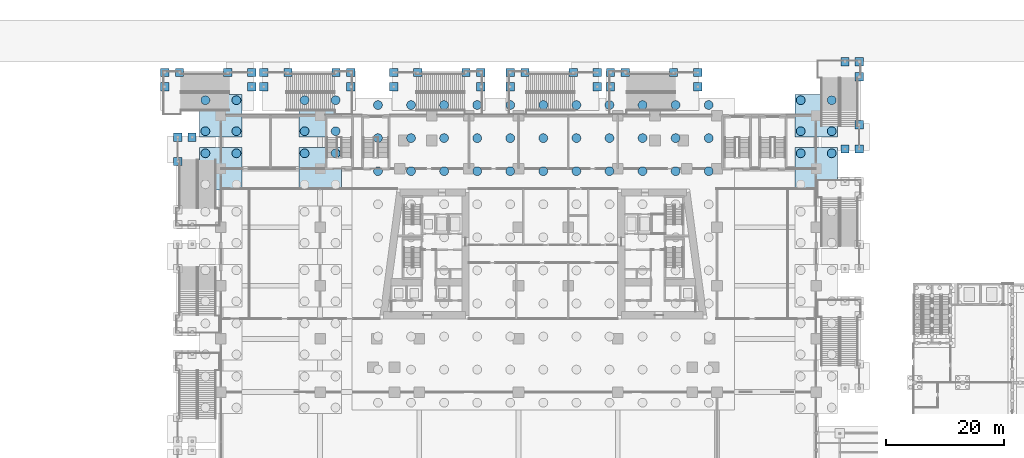
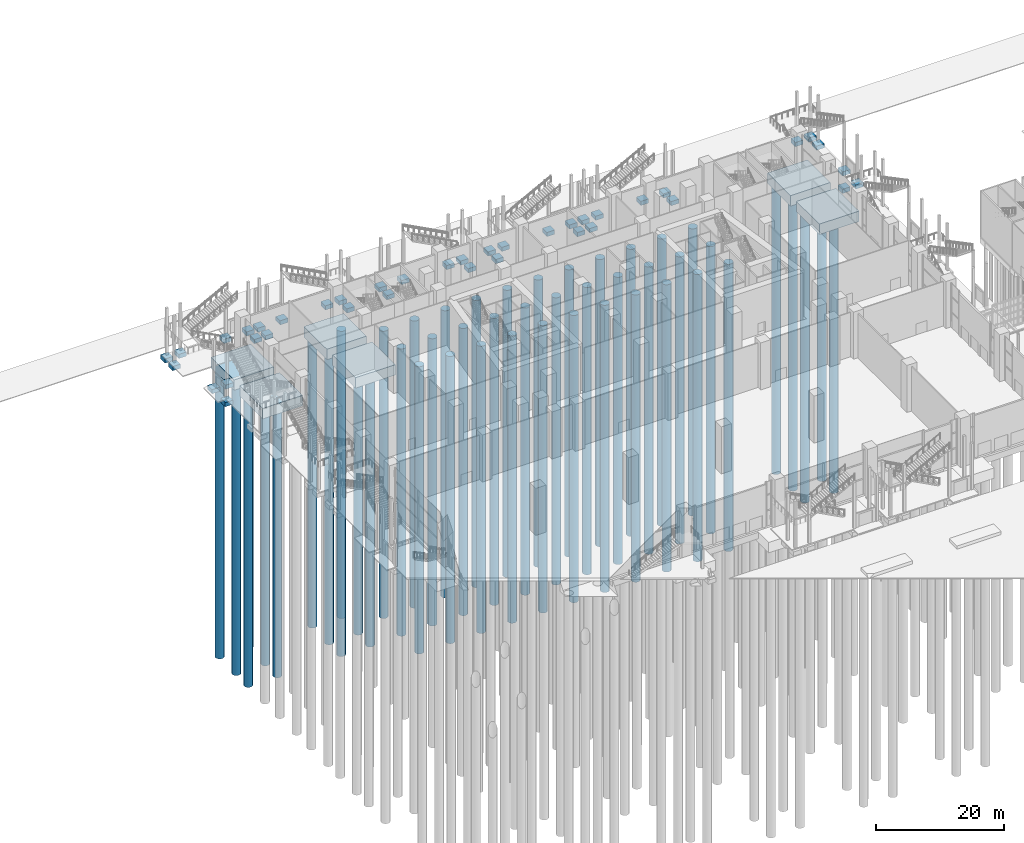
# One storey, part 5 of 72: 51 piles, 45 footings.
"""IFC4 building model written with IfcOpenShell, lengths in metres."""

import ifcopenshell
import ifcopenshell.guid

model = None  # the IFC model being written
_history = None  # IfcOwnerHistory: only IFC2X3 demands one
_inside = {}  # id of a spatial element -> (the spatial element, [elements in it])
_under = {}  # id of a project, library or spatial element -> (it, [spatial elements below it])
_declared = {}  # id of a project -> (the project, [libraries it declares])
_typed = {}  # id of a type object -> (the type object, [elements of that type])
_made_of = {}  # id of a material, layer set ... -> (it, [elements and type objects made of it])


def new_model(schema):
    """Start an empty IFC model of exactly this schema.

    Asked for "IFC4X3", IfcOpenShell would pick the latest addendum, in which some entities
    have other attributes; the version numbers below select the first issue.
    IFC2X3 requires an IfcOwnerHistory on every rooted entity: one is made here for all.
    """
    global model, _history
    if schema == "IFC4X3":
        model = ifcopenshell.file(schema_version=(4, 3, 0, 0))
    else:
        model = ifcopenshell.file(schema=schema)
    _inside.clear()
    _under.clear()
    _declared.clear()
    _typed.clear()
    _made_of.clear()
    _history = None
    if model.schema == "IFC2X3":
        org = make("IfcOrganization", Name="unknown")
        user = make(
            "IfcPersonAndOrganization",
            ThePerson=make("IfcPerson", FamilyName="unknown"),
            TheOrganization=org,
        )
        app = make(
            "IfcApplication",
            ApplicationDeveloper=org,
            Version="unknown",
            ApplicationFullName="unknown",
            ApplicationIdentifier="unknown",
        )
        _history = make(
            "IfcOwnerHistory",
            OwningUser=user,
            OwningApplication=app,
            ChangeAction="ADDED",
            CreationDate=0,
        )
    return model


def make(cls, **values):
    """One entity of the class cls with the attributes given. An attribute that is None is left unset."""
    return model.create_entity(
        cls, **{name: value for name, value in values.items() if value is not None}
    )


def rooted(cls, **values):
    """An entity with a GlobalId (a new one), such as an element, a storey or a relation."""
    return make(cls, GlobalId=ifcopenshell.guid.new(), OwnerHistory=_history, **values)


def si_unit(unit_type, name, prefix=None):
    """IfcSIUnit, for example si_unit("LENGTHUNIT", "METRE", prefix="MILLI")."""
    return make("IfcSIUnit", UnitType=unit_type, Prefix=prefix, Name=name)


def assignment(units):
    """IfcUnitAssignment: the units of a project."""
    return None if units is None else make("IfcUnitAssignment", Units=units)


def point(xyz):
    """IfcCartesianPoint."""
    return None if xyz is None else make("IfcCartesianPoint", Coordinates=xyz)


def direction(xyz):
    """IfcDirection."""
    return None if xyz is None else make("IfcDirection", DirectionRatios=xyz)


def frame(location, z_axis=None, x_axis=None):
    """IfcAxis2Placement3D, a coordinate frame: its origin and axes. An axis left out is left unset."""
    return make(
        "IfcAxis2Placement3D",
        Location=point(location),
        Axis=direction(z_axis),
        RefDirection=direction(x_axis),
    )


def frame_2d(location, x_axis=None):
    """IfcAxis2Placement2D, a coordinate frame in the plane: its origin and x axis."""
    return make(
        "IfcAxis2Placement2D", Location=point(location), RefDirection=direction(x_axis)
    )


def origin():
    """The frame at (0, 0, 0) with its axes left unset."""
    return frame((0.0, 0.0, 0.0))


def origin_2d():
    """The frame at (0, 0) in the plane with its x axis left unset."""
    return frame_2d((0.0, 0.0))


def place(relative_to, where):
    """IfcLocalPlacement: puts the frame where relative to a parent placement (None: the world)."""
    return make(
        "IfcLocalPlacement", PlacementRelTo=relative_to, RelativePlacement=where
    )


def context(
    kind, dimensions, precision=None, world=None, true_north=None, identifier=None
):
    """IfcGeometricRepresentationContext, for example the 3D "Model" context."""
    return make(
        "IfcGeometricRepresentationContext",
        ContextIdentifier=identifier,
        ContextType=kind,
        CoordinateSpaceDimension=dimensions,
        Precision=precision,
        WorldCoordinateSystem=world,
        TrueNorth=true_north,
    )


def subcontext(parent, identifier, kind, view, scale=None):
    """IfcGeometricRepresentationSubContext, for example "Body" below "Model"."""
    return make(
        "IfcGeometricRepresentationSubContext",
        ContextIdentifier=identifier,
        ContextType=kind,
        ParentContext=parent,
        TargetScale=scale,
        TargetView=view,
    )


def project(units=None, contexts=None):
    """IfcProject with its units and contexts."""
    return rooted(
        "IfcProject",
        Name="project",
        RepresentationContexts=contexts,
        UnitsInContext=assignment(units),
    )


def spatial(cls, under=None, at=None, **own):
    """A site, building, storey or space (cls), placed at a placement, below another one or the project."""
    s = rooted(cls, ObjectPlacement=at, **own)
    if under is not None:
        _under.setdefault(under.id(), (under, []))[1].append(s)
    return s


def polyline(points):
    """IfcPolyline through the points."""
    return make("IfcPolyline", Points=[point(p) for p in points])


def profile(cls, at=None, kind="AREA", **sizes):
    """A parametric profile (cls). Its sizes go by their IFC names, for example OverallWidth=200.0."""
    return make(cls, ProfileType=kind, Position=at, **sizes)


def rectangle(**sizes):
    """IfcRectangleProfileDef."""
    return profile("IfcRectangleProfileDef", **sizes)


def circle(**sizes):
    """IfcCircleProfileDef."""
    return profile("IfcCircleProfileDef", **sizes)


def outline(outer, holes=None, kind="AREA"):
    """IfcArbitraryClosedProfileDef: a profile drawn as a closed curve; with holes, ...WithVoids."""
    if holes is None:
        return make("IfcArbitraryClosedProfileDef", ProfileType=kind, OuterCurve=outer)
    return make(
        "IfcArbitraryProfileDefWithVoids",
        ProfileType=kind,
        OuterCurve=outer,
        InnerCurves=holes,
    )


def extrude(swept, where, along, depth):
    """IfcExtrudedAreaSolid: the profile swept, set in the frame where, extruded along a direction by depth."""
    return make(
        "IfcExtrudedAreaSolid",
        SweptArea=swept,
        Position=where,
        ExtrudedDirection=direction(along),
        Depth=depth,
    )


def shape(context_of_items, identifier, shape_type, items):
    """IfcShapeRepresentation: the items that make up one representation, for example the "Body"."""
    return make(
        "IfcShapeRepresentation",
        ContextOfItems=context_of_items,
        RepresentationIdentifier=identifier,
        RepresentationType=shape_type,
        Items=items,
    )


def material(Name=None, Category=None):
    """IfcMaterial."""
    return make("IfcMaterial", Name=Name, Category=Category)


def material_profile(
    of_material, cross_section, Name=None, Category=None, Priority=None
):
    """IfcMaterialProfile: a cross section and its material."""
    return make(
        "IfcMaterialProfile",
        Name=Name,
        Material=of_material,
        Profile=cross_section,
        Priority=Priority,
        Category=Category,
    )


def profile_set(profiles, Name=None, composite=None):
    """IfcMaterialProfileSet."""
    return make(
        "IfcMaterialProfileSet",
        Name=Name,
        MaterialProfiles=profiles,
        CompositeProfile=composite,
    )


def made_of(thing, what):
    """Note that an element or type object is made of a material, layer set ...; save() writes the relation."""
    if what is not None:
        _made_of.setdefault(what.id(), (what, []))[1].append(thing)
    return thing


def type_object(cls, material=None, **own):
    """A type object (cls), such as IfcWallType, which elements share."""
    return made_of(rooted(cls, **own), material)


def element(
    cls,
    number,
    at=None,
    inside=None,
    cuts=None,
    type_object=None,
    material=None,
    context=None,
    identifier="Body",
    shape_type=None,
    held_by="IfcProductDefinitionShape",
    body=None,
    shapes=None,
    **own,
):
    """One element of the class cls, such as IfcWall. Its Tag is "e" and its number.

    at: its placement. inside: the storey or other place that contains it. cuts: it is an
    opening in that element (IfcRelVoidsElement). A single representation is given by context,
    identifier, shape_type and body (its items); several are given by shapes. held_by: the class
    of the entity that holds the representations. save() writes the other relations.
    """
    e = rooted(cls, Tag="e%d" % number, ObjectPlacement=at, **own)
    if body is not None:
        shapes = [shape(context, identifier, shape_type, body)]
    if shapes is not None:
        e.Representation = make(held_by, Representations=shapes)
    if inside is not None:
        _inside.setdefault(inside.id(), (inside, []))[1].append(e)
    if cuts is not None:
        rooted(
            "IfcRelVoidsElement", RelatingBuildingElement=cuts, RelatedOpeningElement=e
        )
    if type_object is not None:
        _typed.setdefault(type_object.id(), (type_object, []))[1].append(e)
    return made_of(e, material)


def aggregate(whole, parts):
    """IfcRelAggregates: a whole, such as a stair, and the parts it consists of."""
    return rooted("IfcRelAggregates", RelatingObject=whole, RelatedObjects=parts)


def save(model, path):
    """Write the relations noted so far, then the file.

    IfcRelAggregates (storeys below a building ...), IfcRelContainedInSpatialStructure (elements
    in a storey), IfcRelDefinesByType, IfcRelAssociatesMaterial and IfcRelDeclares: one each for
    every whole, place, type object, material and project.
    """
    for whole, parts in _under.values():
        aggregate(whole, parts)
    for where, things in _inside.values():
        rooted(
            "IfcRelContainedInSpatialStructure",
            RelatedElements=things,
            RelatingStructure=where,
        )
    for kind, things in _typed.values():
        rooted("IfcRelDefinesByType", RelatedObjects=things, RelatingType=kind)
    for what, things in _made_of.values():
        rooted("IfcRelAssociatesMaterial", RelatedObjects=things, RelatingMaterial=what)
    for by, libraries in _declared.values():
        rooted("IfcRelDeclares", RelatingContext=by, RelatedDefinitions=libraries)
    model.write(path)


model = new_model("IFC4")

# Units and contexts
model_context = context("Model", 3, precision=1e-05, world=origin(), true_north=direction((0.0, 1.0)))
body_context = subcontext(model_context, "Body", "Model", "MODEL_VIEW")
ifc_project = project(units=[si_unit("LENGTHUNIT", "METRE"), si_unit("AREAUNIT", "SQUARE_METRE"), si_unit("VOLUMEUNIT", "CUBIC_METRE"), si_unit("PLANEANGLEUNIT", "RADIAN"), si_unit("MASSUNIT", "GRAM", prefix="KILO")], contexts=[model_context])

# Site, building, storey
site_placement = place(None, origin())
site = spatial("IfcSite", under=ifc_project, at=site_placement, CompositionType="ELEMENT")
building_placement = place(site_placement, origin())
building = spatial("IfcBuilding", under=site, at=building_placement, Name="Candeia Pilgrim Tower and Theatre", CompositionType="ELEMENT")
storey_placement = place(building_placement, origin())
storey = spatial("IfcBuildingStorey", under=building, at=storey_placement, Name="L00", CompositionType="ELEMENT", Elevation=0.0)

# Piles
ifc_material_1 = material(Name="Concrete C40/50", Category="concrete")
ifc_material_profile = material_profile(ifc_material_1, circle(Radius=0.75, at=origin_2d()))
ifc_profile_set = profile_set([ifc_material_profile], Name="Concrete C40/50")
pile_type = type_object("IfcPileType", Name="Bored pile D1500 C40/50", PredefinedType="BORED", material=ifc_profile_set)
for number, where, z_axis, x_axis, name in (
    (1, (85.39990234375, 135.39990234375, -4.35009765625), (0.0, 0.0, -1.0), (1.0, 0.0, 0.0), "Pile R078"),
    (2, (91.0, 135.39990234375, -4.35009765625), (0.0, 0.0, -1.0), (1.0, 0.0, 0.0), "Pile R079"),
    (3, (96.60009765625, 135.39990234375, -4.35009765625), (0.0, 0.0, -1.0), (1.0, 0.0, 0.0), "Pile R080"),
    (4, (102.199951171875, 135.39990234375, -4.35009765625), (0.0, 0.0, -1.0), (1.0, 0.0, 0.0), "Pile R081"),
    (5, (107.800048828125, 135.39990234375, -4.35009765625), (0.0, 0.0, -1.0), (1.0, 0.0, 0.0), "Pile R082"),
    (6, (113.39990234375, 135.39990234375, -4.35009765625), (0.0, 0.0, -1.0), (1.0, 0.0, 0.0), "Pile R083"),
    (7, (119.0, 135.39990234375, -4.35009765625), (0.0, 0.0, -1.0), (1.0, 0.0, 0.0), "Pile R084"),
    (8, (124.60009765625, 135.39990234375, -4.35009765625), (0.0, 0.0, -1.0), (1.0, 0.0, 0.0), "Pile R085"),
    (9, (130.199951171875, 135.39990234375, -4.35009765625), (0.0, 0.0, -1.0), (1.0, 0.0, 0.0), "Pile R086"),
    (10, (135.800048828125, 135.39990234375, -4.35009765625), (0.0, 0.0, -1.0), (1.0, 0.0, 0.0), "Pile R087"),
    (11, (141.39990234375, 135.39990234375, -4.35009765625), (0.0, 0.0, -1.0), (1.0, 0.0, 0.0), "Pile R088"),
    (12, (85.39990234375, 141.0, -4.35009765625), (0.0, 0.0, -1.0), (1.0, 0.0, 0.0), "Pile R089"),
    (13, (91.0, 141.0, -4.35009765625), (0.0, 0.0, -1.0), (1.0, 0.0, 0.0), "Pile R090"),
    (14, (96.60009765625, 141.0, -4.35009765625), (0.0, 0.0, -1.0), (1.0, 0.0, 0.0), "Pile R091"),
    (15, (102.199951171875, 141.0, -4.35009765625), (0.0, 0.0, -1.0), (1.0, 0.0, 0.0), "Pile R092"),
    (16, (107.800048828125, 141.0, -4.35009765625), (0.0, 0.0, -1.0), (1.0, 0.0, 0.0), "Pile R093"),
    (17, (113.39990234375, 141.0, -4.35009765625), (0.0, 0.0, -1.0), (1.0, 0.0, 0.0), "Pile R094"),
    (18, (119.0, 141.0, -4.35009765625), (0.0, 0.0, -1.0), (1.0, 0.0, 0.0), "Pile R095"),
    (19, (124.60009765625, 141.0, -4.35009765625), (0.0, 0.0, -1.0), (1.0, 0.0, 0.0), "Pile R096"),
    (20, (130.199951171875, 141.0, -4.35009765625), (0.0, 0.0, -1.0), (1.0, 0.0, 0.0), "Pile R097"),
    (21, (135.800048828125, 141.0, -4.35009765625), (0.0, 0.0, -1.0), (1.0, 0.0, 0.0), "Pile R098"),
    (22, (141.39990234375, 141.0, -4.35009765625), (0.0, 0.0, -1.0), (1.0, 0.0, 0.0), "Pile R099"),
    (23, (85.39990234375, 146.60009765625, -4.35009765625), (0.0, 0.0, -1.0), (1.0, 0.0, 0.0), "Pile R100"),
    (24, (91.0, 146.60009765625, -4.35009765625), (0.0, 0.0, -1.0), (1.0, 0.0, 0.0), "Pile R101"),
    (25, (96.60009765625, 146.60009765625, -4.35009765625), (0.0, 0.0, -1.0), (1.0, 0.0, 0.0), "Pile R102"),
    (26, (102.199951171875, 146.60009765625, -4.35009765625), (0.0, 0.0, -1.0), (1.0, 0.0, 0.0), "Pile R103"),
    (27, (107.800048828125, 146.60009765625, -4.35009765625), (0.0, 0.0, -1.0), (1.0, 0.0, 0.0), "Pile R104"),
    (28, (113.39990234375, 146.60009765625, -4.35009765625), (0.0, 0.0, -1.0), (1.0, 0.0, 0.0), "Pile R105"),
    (29, (119.0, 146.60009765625, -4.35009765625), (0.0, 0.0, -1.0), (1.0, 0.0, 0.0), "Pile R106"),
    (30, (124.60009765625, 146.60009765625, -4.35009765625), (0.0, 0.0, -1.0), (1.0, 0.0, 0.0), "Pile R107"),
    (31, (130.199951171875, 146.60009765625, -4.35009765625), (0.0, 0.0, -1.0), (1.0, 0.0, 0.0), "Pile R108"),
    (32, (135.800048828125, 146.60009765625, -4.35009765625), (0.0, 0.0, -1.0), (1.0, 0.0, 0.0), "Pile R109"),
    (33, (141.39990234375, 146.60009765625, -4.35009765625), (0.0, 0.0, -1.0), (1.0, 0.0, 0.0), "Pile R110"),
    (34, (56.175048828125, 138.425048828125, -2.35009765625), (0.0, 0.0, -1.0), (1.0, 0.0, 0.0), "Pile P-0252+0378-3"),
    (35, (61.425048828125, 138.425048828125, -2.35009765625), (0.0, 0.0, -1.0), (1.0, 0.0, 0.0), "Pile P-0252+0378-4"),
    (36, (72.97509765625, 138.425048828125, -2.35009765625), (0.0, 0.0, -1.0), (1.0, 0.0, 0.0), "Pile P-0084+0378-3"),
    (37, (78.22509765625, 138.425048828125, -2.35009765625), (0.0, 0.0, -1.0), (1.0, 0.0, 0.0), "Pile P-0084+0378-4"),
    (38, (156.97509765625, 138.425048828125, -2.35009765625), (0.0, 0.0, -1.0), (1.0, 0.0, 0.0), "Pile P+0756+0378-3"),
    (39, (162.22509765625, 138.425048828125, -2.35009765625), (0.0, 0.0, -1.0), (1.0, 0.0, 0.0), "Pile P+0756+0378-4"),
    (40, (56.175048828125, 142.175048828125, -2.35009765625), (0.0, 0.0, -1.0), (1.0, 0.0, 0.0), "Pile P-0252+0468-1"),
    (41, (61.425048828125, 142.175048828125, -2.35009765625), (0.0, 0.0, -1.0), (1.0, 0.0, 0.0), "Pile P-0252+0468-2"),
    (42, (56.175048828125, 147.425048828125, -2.35009765625), (0.0, 0.0, -1.0), (1.0, 0.0, 0.0), "Pile P-0252+0468-3"),
    (43, (61.425048828125, 147.425048828125, -2.35009765625), (0.0, 0.0, -1.0), (1.0, 0.0, 0.0), "Pile P-0252+0468-4"),
    (44, (72.97509765625, 142.175048828125, -2.35009765625), (0.0, 0.0, -1.0), (1.0, 0.0, 0.0), "Pile P-0084+0468-1"),
    (45, (78.22509765625, 142.175048828125, -2.35009765625), (0.0, 0.0, -1.0), (1.0, 0.0, 0.0), "Pile P-0084+0468-2"),
    (46, (72.97509765625, 147.425048828125, -2.35009765625), (0.0, 0.0, -1.0), (1.0, 0.0, 0.0), "Pile P-0084+0468-3"),
    (47, (78.22509765625, 147.425048828125, -2.35009765625), (0.0, 0.0, -1.0), (1.0, 0.0, 0.0), "Pile P-0084+0468-4"),
    (48, (156.97509765625, 142.175048828125, -2.35009765625), (0.0, 0.0, -1.0), (1.0, 0.0, 0.0), "Pile P+0756+0468-1"),
    (49, (162.22509765625, 142.175048828125, -2.35009765625), (0.0, 0.0, -1.0), (1.0, 0.0, 0.0), "Pile P+0756+0468-2"),
    (50, (156.97509765625, 147.425048828125, -2.35009765625), (0.0, 0.0, -1.0), (1.0, 0.0, 0.0), "Pile P+0756+0468-3"),
    (51, (162.22509765625, 147.425048828125, -2.35009765625), (0.0, 0.0, -1.0), (1.0, 0.0, 0.0), "Pile P+0756+0468-4"),
):
    element("IfcPile", number, at=place(storey_placement, frame(where, z_axis=z_axis, x_axis=x_axis)), inside=storey, type_object=pile_type, Name=name, PredefinedType="BORED", context=body_context, shape_type="SweptSolid", body=[
        extrude(circle(Radius=0.75, at=origin_2d()), origin(), (0.0, 0.0, 1.0), 55.0),
    ])

# Footings
ifc_material_2 = material(Name="Concrete C35/45", Category="concrete")
footing_type_1 = type_object("IfcFootingType", Name="Escape stair pad footing 1400", PredefinedType="PAD_FOOTING", material=ifc_material_2)
footing_1_placement = place(storey_placement, frame((0.0, 0.0, -1.0)))
element("IfcFooting", 52, at=footing_1_placement, inside=storey, type_object=footing_type_1, Name="External escape stair ES2 pad N1", PredefinedType="PAD_FOOTING", context=body_context, shape_type="SweptSolid", body=[
    extrude(outline(polyline([(166.199951171875, 138.449951171875), (167.60009765625, 138.449951171875), (167.60009765625, 139.85009765625), (166.199951171875, 139.85009765625), (166.199951171875, 138.449951171875)])), origin(), (0.0, 0.0, 1.0), 0.800048828125),
])
footing_2_placement = place(storey_placement, frame((0.0, 0.0, -1.0)))
element("IfcFooting", 53, at=footing_2_placement, inside=storey, type_object=footing_type_1, Name="External escape stair ES2 pad N2", PredefinedType="PAD_FOOTING", context=body_context, shape_type="SweptSolid", body=[
    extrude(outline(polyline([(166.199951171875, 142.550048828125), (167.60009765625, 142.550048828125), (167.60009765625, 143.949951171875), (166.199951171875, 143.949951171875), (166.199951171875, 142.550048828125)])), origin(), (0.0, 0.0, 1.0), 0.800048828125),
])
footing_3_placement = place(storey_placement, frame((0.0, 0.0, -1.0)))
element("IfcFooting", 54, at=footing_3_placement, inside=storey, type_object=footing_type_1, Name="External escape stair ES2 pad N3", PredefinedType="PAD_FOOTING", context=body_context, shape_type="SweptSolid", body=[
    extrude(outline(polyline([(163.77490234375, 138.449951171875), (165.175048828125, 138.449951171875), (165.175048828125, 139.85009765625), (163.77490234375, 139.85009765625), (163.77490234375, 138.449951171875)])), origin(), (0.0, 0.0, 1.0), 0.800048828125),
])
footing_4_placement = place(storey_placement, frame((0.0, 0.0, -1.0)))
element("IfcFooting", 55, at=footing_4_placement, inside=storey, type_object=footing_type_1, Name="External escape stair ES2 pad F1", PredefinedType="PAD_FOOTING", context=body_context, shape_type="SweptSolid", body=[
    extrude(outline(polyline([(166.199951171875, 150.7099609375), (167.60009765625, 150.7099609375), (167.60009765625, 152.110107421875), (166.199951171875, 152.110107421875), (166.199951171875, 150.7099609375)])), origin(), (0.0, 0.0, 1.0), 0.800048828125),
])
footing_5_placement = place(storey_placement, frame((0.0, 0.0, -1.0)))
element("IfcFooting", 56, at=footing_5_placement, inside=storey, type_object=footing_type_1, Name="External escape stair ES2 pad F2", PredefinedType="PAD_FOOTING", context=body_context, shape_type="SweptSolid", body=[
    extrude(outline(polyline([(166.199951171875, 153.2099609375), (167.60009765625, 153.2099609375), (167.60009765625, 154.610107421875), (166.199951171875, 154.610107421875), (166.199951171875, 153.2099609375)])), origin(), (0.0, 0.0, 1.0), 0.800048828125),
])
footing_6_placement = place(storey_placement, frame((0.0, 0.0, -1.0)))
element("IfcFooting", 57, at=footing_6_placement, inside=storey, type_object=footing_type_1, Name="External escape stair ES2 pad F3", PredefinedType="PAD_FOOTING", context=body_context, shape_type="SweptSolid", body=[
    extrude(outline(polyline([(163.77490234375, 153.2099609375), (165.175048828125, 153.2099609375), (165.175048828125, 154.610107421875), (163.77490234375, 154.610107421875), (163.77490234375, 153.2099609375)])), origin(), (0.0, 0.0, 1.0), 0.800048828125),
])
footing_7_placement = place(storey_placement, frame((0.0, 0.0, -1.0)))
element("IfcFooting", 58, at=footing_7_placement, inside=storey, type_object=footing_type_1, Name="External escape stair ES3 pad N1", PredefinedType="PAD_FOOTING", context=body_context, shape_type="SweptSolid", body=[
    extrude(outline(polyline([(63.35009765625, 151.39990234375), (64.75, 151.39990234375), (64.75, 152.800048828125), (63.35009765625, 152.800048828125), (63.35009765625, 151.39990234375)])), origin(), (0.0, 0.0, 1.0), 0.800048828125),
])
footing_8_placement = place(storey_placement, frame((0.0, 0.0, -1.0)))
element("IfcFooting", 59, at=footing_8_placement, inside=storey, type_object=footing_type_1, Name="External escape stair ES3 pad N2", PredefinedType="PAD_FOOTING", context=body_context, shape_type="SweptSolid", body=[
    extrude(outline(polyline([(59.25, 151.39990234375), (60.64990234375, 151.39990234375), (60.64990234375, 152.800048828125), (59.25, 152.800048828125), (59.25, 151.39990234375)])), origin(), (0.0, 0.0, 1.0), 0.800048828125),
])
footing_9_placement = place(storey_placement, frame((0.0, 0.0, -1.0)))
element("IfcFooting", 60, at=footing_9_placement, inside=storey, type_object=footing_type_1, Name="External escape stair ES3 pad N3", PredefinedType="PAD_FOOTING", context=body_context, shape_type="SweptSolid", body=[
    extrude(outline(polyline([(63.35009765625, 148.97509765625), (64.75, 148.97509765625), (64.75, 150.375), (63.35009765625, 150.375), (63.35009765625, 148.97509765625)])), origin(), (0.0, 0.0, 1.0), 0.800048828125),
])
footing_10_placement = place(storey_placement, frame((0.0, 0.0, -1.0)))
element("IfcFooting", 61, at=footing_10_placement, inside=storey, type_object=footing_type_1, Name="External escape stair ES3 pad F1", PredefinedType="PAD_FOOTING", context=body_context, shape_type="SweptSolid", body=[
    extrude(outline(polyline([(51.090087890625, 151.39990234375), (52.489990234375, 151.39990234375), (52.489990234375, 152.800048828125), (51.090087890625, 152.800048828125), (51.090087890625, 151.39990234375)])), origin(), (0.0, 0.0, 1.0), 0.800048828125),
])
footing_11_placement = place(storey_placement, frame((0.0, 0.0, -1.0)))
element("IfcFooting", 62, at=footing_11_placement, inside=storey, type_object=footing_type_1, Name="External escape stair ES3 pad F2", PredefinedType="PAD_FOOTING", context=body_context, shape_type="SweptSolid", body=[
    extrude(outline(polyline([(48.590087890625, 151.39990234375), (49.989990234375, 151.39990234375), (49.989990234375, 152.800048828125), (48.590087890625, 152.800048828125), (48.590087890625, 151.39990234375)])), origin(), (0.0, 0.0, 1.0), 0.800048828125),
])
footing_12_placement = place(storey_placement, frame((0.0, 0.0, -1.0)))
element("IfcFooting", 63, at=footing_12_placement, inside=storey, type_object=footing_type_1, Name="External escape stair ES3 pad F3", PredefinedType="PAD_FOOTING", context=body_context, shape_type="SweptSolid", body=[
    extrude(outline(polyline([(48.590087890625, 148.97509765625), (49.989990234375, 148.97509765625), (49.989990234375, 150.375), (48.590087890625, 150.375), (48.590087890625, 148.97509765625)])), origin(), (0.0, 0.0, 1.0), 0.800048828125),
])
footing_13_placement = place(storey_placement, frame((0.0, 0.0, -1.0)))
element("IfcFooting", 64, at=footing_13_placement, inside=storey, type_object=footing_type_1, Name="External escape stair ES4 pad N1", PredefinedType="PAD_FOOTING", context=body_context, shape_type="SweptSolid", body=[
    extrude(outline(polyline([(65.35009765625, 151.39990234375), (66.75, 151.39990234375), (66.75, 152.800048828125), (65.35009765625, 152.800048828125), (65.35009765625, 151.39990234375)])), origin(), (0.0, 0.0, 1.0), 0.800048828125),
])
footing_14_placement = place(storey_placement, frame((0.0, 0.0, -1.0)))
element("IfcFooting", 65, at=footing_14_placement, inside=storey, type_object=footing_type_1, Name="External escape stair ES4 pad N2", PredefinedType="PAD_FOOTING", context=body_context, shape_type="SweptSolid", body=[
    extrude(outline(polyline([(69.449951171875, 151.39990234375), (70.85009765625, 151.39990234375), (70.85009765625, 152.800048828125), (69.449951171875, 152.800048828125), (69.449951171875, 151.39990234375)])), origin(), (0.0, 0.0, 1.0), 0.800048828125),
])
footing_15_placement = place(storey_placement, frame((0.0, 0.0, -1.0)))
element("IfcFooting", 66, at=footing_15_placement, inside=storey, type_object=footing_type_1, Name="External escape stair ES4 pad N3", PredefinedType="PAD_FOOTING", context=body_context, shape_type="SweptSolid", body=[
    extrude(outline(polyline([(65.35009765625, 148.97509765625), (66.75, 148.97509765625), (66.75, 150.375), (65.35009765625, 150.375), (65.35009765625, 148.97509765625)])), origin(), (0.0, 0.0, 1.0), 0.800048828125),
])
footing_16_placement = place(storey_placement, frame((0.0, 0.0, -1.0)))
element("IfcFooting", 67, at=footing_16_placement, inside=storey, type_object=footing_type_1, Name="External escape stair ES4 pad F1", PredefinedType="PAD_FOOTING", context=body_context, shape_type="SweptSolid", body=[
    extrude(outline(polyline([(77.610107421875, 151.39990234375), (79.010009765625, 151.39990234375), (79.010009765625, 152.800048828125), (77.610107421875, 152.800048828125), (77.610107421875, 151.39990234375)])), origin(), (0.0, 0.0, 1.0), 0.800048828125),
])
footing_17_placement = place(storey_placement, frame((0.0, 0.0, -1.0)))
element("IfcFooting", 68, at=footing_17_placement, inside=storey, type_object=footing_type_1, Name="External escape stair ES4 pad F2", PredefinedType="PAD_FOOTING", context=body_context, shape_type="SweptSolid", body=[
    extrude(outline(polyline([(80.110107421875, 151.39990234375), (81.510009765625, 151.39990234375), (81.510009765625, 152.800048828125), (80.110107421875, 152.800048828125), (80.110107421875, 151.39990234375)])), origin(), (0.0, 0.0, 1.0), 0.800048828125),
])
footing_18_placement = place(storey_placement, frame((0.0, 0.0, -1.0)))
element("IfcFooting", 69, at=footing_18_placement, inside=storey, type_object=footing_type_1, Name="External escape stair ES4 pad F3", PredefinedType="PAD_FOOTING", context=body_context, shape_type="SweptSolid", body=[
    extrude(outline(polyline([(80.110107421875, 148.97509765625), (81.510009765625, 148.97509765625), (81.510009765625, 150.375), (80.110107421875, 150.375), (80.110107421875, 148.97509765625)])), origin(), (0.0, 0.0, 1.0), 0.800048828125),
])
footing_19_placement = place(storey_placement, frame((0.0, 0.0, -1.0)))
element("IfcFooting", 70, at=footing_19_placement, inside=storey, type_object=footing_type_1, Name="External escape stair ES5 pad N1", PredefinedType="PAD_FOOTING", context=body_context, shape_type="SweptSolid", body=[
    extrude(outline(polyline([(87.35009765625, 151.39990234375), (88.75, 151.39990234375), (88.75, 152.800048828125), (87.35009765625, 152.800048828125), (87.35009765625, 151.39990234375)])), origin(), (0.0, 0.0, 1.0), 0.800048828125),
])
footing_20_placement = place(storey_placement, frame((0.0, 0.0, -1.0)))
element("IfcFooting", 71, at=footing_20_placement, inside=storey, type_object=footing_type_1, Name="External escape stair ES5 pad N2", PredefinedType="PAD_FOOTING", context=body_context, shape_type="SweptSolid", body=[
    extrude(outline(polyline([(91.449951171875, 151.39990234375), (92.85009765625, 151.39990234375), (92.85009765625, 152.800048828125), (91.449951171875, 152.800048828125), (91.449951171875, 151.39990234375)])), origin(), (0.0, 0.0, 1.0), 0.800048828125),
])
footing_21_placement = place(storey_placement, frame((0.0, 0.0, -1.0)))
element("IfcFooting", 72, at=footing_21_placement, inside=storey, type_object=footing_type_1, Name="External escape stair ES5 pad N3", PredefinedType="PAD_FOOTING", context=body_context, shape_type="SweptSolid", body=[
    extrude(outline(polyline([(87.35009765625, 148.97509765625), (88.75, 148.97509765625), (88.75, 150.375), (87.35009765625, 150.375), (87.35009765625, 148.97509765625)])), origin(), (0.0, 0.0, 1.0), 0.800048828125),
])
footing_22_placement = place(storey_placement, frame((0.0, 0.0, -1.0)))
element("IfcFooting", 73, at=footing_22_placement, inside=storey, type_object=footing_type_1, Name="External escape stair ES5 pad F1", PredefinedType="PAD_FOOTING", context=body_context, shape_type="SweptSolid", body=[
    extrude(outline(polyline([(99.610107421875, 151.39990234375), (101.010009765625, 151.39990234375), (101.010009765625, 152.800048828125), (99.610107421875, 152.800048828125), (99.610107421875, 151.39990234375)])), origin(), (0.0, 0.0, 1.0), 0.800048828125),
])
footing_23_placement = place(storey_placement, frame((0.0, 0.0, -1.0)))
element("IfcFooting", 74, at=footing_23_placement, inside=storey, type_object=footing_type_1, Name="External escape stair ES5 pad F2", PredefinedType="PAD_FOOTING", context=body_context, shape_type="SweptSolid", body=[
    extrude(outline(polyline([(102.110107421875, 151.39990234375), (103.510009765625, 151.39990234375), (103.510009765625, 152.800048828125), (102.110107421875, 152.800048828125), (102.110107421875, 151.39990234375)])), origin(), (0.0, 0.0, 1.0), 0.800048828125),
])
footing_24_placement = place(storey_placement, frame((0.0, 0.0, -1.0)))
element("IfcFooting", 75, at=footing_24_placement, inside=storey, type_object=footing_type_1, Name="External escape stair ES5 pad F3", PredefinedType="PAD_FOOTING", context=body_context, shape_type="SweptSolid", body=[
    extrude(outline(polyline([(102.110107421875, 148.97509765625), (103.510009765625, 148.97509765625), (103.510009765625, 150.375), (102.110107421875, 150.375), (102.110107421875, 148.97509765625)])), origin(), (0.0, 0.0, 1.0), 0.800048828125),
])
footing_25_placement = place(storey_placement, frame((0.0, 0.0, -1.0)))
element("IfcFooting", 76, at=footing_25_placement, inside=storey, type_object=footing_type_1, Name="External escape stair ES6 pad N1", PredefinedType="PAD_FOOTING", context=body_context, shape_type="SweptSolid", body=[
    extrude(outline(polyline([(121.85009765625, 151.39990234375), (123.25, 151.39990234375), (123.25, 152.800048828125), (121.85009765625, 152.800048828125), (121.85009765625, 151.39990234375)])), origin(), (0.0, 0.0, 1.0), 0.800048828125),
])
footing_26_placement = place(storey_placement, frame((0.0, 0.0, -1.0)))
element("IfcFooting", 77, at=footing_26_placement, inside=storey, type_object=footing_type_1, Name="External escape stair ES6 pad N2", PredefinedType="PAD_FOOTING", context=body_context, shape_type="SweptSolid", body=[
    extrude(outline(polyline([(117.75, 151.39990234375), (119.14990234375, 151.39990234375), (119.14990234375, 152.800048828125), (117.75, 152.800048828125), (117.75, 151.39990234375)])), origin(), (0.0, 0.0, 1.0), 0.800048828125),
])
footing_27_placement = place(storey_placement, frame((0.0, 0.0, -1.0)))
element("IfcFooting", 78, at=footing_27_placement, inside=storey, type_object=footing_type_1, Name="External escape stair ES6 pad N3", PredefinedType="PAD_FOOTING", context=body_context, shape_type="SweptSolid", body=[
    extrude(outline(polyline([(121.85009765625, 148.97509765625), (123.25, 148.97509765625), (123.25, 150.375), (121.85009765625, 150.375), (121.85009765625, 148.97509765625)])), origin(), (0.0, 0.0, 1.0), 0.800048828125),
])
footing_28_placement = place(storey_placement, frame((0.0, 0.0, -1.0)))
element("IfcFooting", 79, at=footing_28_placement, inside=storey, type_object=footing_type_1, Name="External escape stair ES6 pad F1", PredefinedType="PAD_FOOTING", context=body_context, shape_type="SweptSolid", body=[
    extrude(outline(polyline([(109.590087890625, 151.39990234375), (110.989990234375, 151.39990234375), (110.989990234375, 152.800048828125), (109.590087890625, 152.800048828125), (109.590087890625, 151.39990234375)])), origin(), (0.0, 0.0, 1.0), 0.800048828125),
])
footing_29_placement = place(storey_placement, frame((0.0, 0.0, -1.0)))
element("IfcFooting", 80, at=footing_29_placement, inside=storey, type_object=footing_type_1, Name="External escape stair ES6 pad F2", PredefinedType="PAD_FOOTING", context=body_context, shape_type="SweptSolid", body=[
    extrude(outline(polyline([(107.090087890625, 151.39990234375), (108.489990234375, 151.39990234375), (108.489990234375, 152.800048828125), (107.090087890625, 152.800048828125), (107.090087890625, 151.39990234375)])), origin(), (0.0, 0.0, 1.0), 0.800048828125),
])
footing_30_placement = place(storey_placement, frame((0.0, 0.0, -1.0)))
element("IfcFooting", 81, at=footing_30_placement, inside=storey, type_object=footing_type_1, Name="External escape stair ES6 pad F3", PredefinedType="PAD_FOOTING", context=body_context, shape_type="SweptSolid", body=[
    extrude(outline(polyline([(107.090087890625, 148.97509765625), (108.489990234375, 148.97509765625), (108.489990234375, 150.375), (107.090087890625, 150.375), (107.090087890625, 148.97509765625)])), origin(), (0.0, 0.0, 1.0), 0.800048828125),
])
footing_31_placement = place(storey_placement, frame((0.0, 0.0, -1.0)))
element("IfcFooting", 82, at=footing_31_placement, inside=storey, type_object=footing_type_1, Name="External escape stair ES7 pad N1", PredefinedType="PAD_FOOTING", context=body_context, shape_type="SweptSolid", body=[
    extrude(outline(polyline([(138.85009765625, 151.39990234375), (140.25, 151.39990234375), (140.25, 152.800048828125), (138.85009765625, 152.800048828125), (138.85009765625, 151.39990234375)])), origin(), (0.0, 0.0, 1.0), 0.800048828125),
])
footing_32_placement = place(storey_placement, frame((0.0, 0.0, -1.0)))
element("IfcFooting", 83, at=footing_32_placement, inside=storey, type_object=footing_type_1, Name="External escape stair ES7 pad N2", PredefinedType="PAD_FOOTING", context=body_context, shape_type="SweptSolid", body=[
    extrude(outline(polyline([(134.75, 151.39990234375), (136.14990234375, 151.39990234375), (136.14990234375, 152.800048828125), (134.75, 152.800048828125), (134.75, 151.39990234375)])), origin(), (0.0, 0.0, 1.0), 0.800048828125),
])
footing_33_placement = place(storey_placement, frame((0.0, 0.0, -1.0)))
element("IfcFooting", 84, at=footing_33_placement, inside=storey, type_object=footing_type_1, Name="External escape stair ES7 pad N3", PredefinedType="PAD_FOOTING", context=body_context, shape_type="SweptSolid", body=[
    extrude(outline(polyline([(138.85009765625, 148.97509765625), (140.25, 148.97509765625), (140.25, 150.375), (138.85009765625, 150.375), (138.85009765625, 148.97509765625)])), origin(), (0.0, 0.0, 1.0), 0.800048828125),
])
footing_34_placement = place(storey_placement, frame((0.0, 0.0, -1.0)))
element("IfcFooting", 85, at=footing_34_placement, inside=storey, type_object=footing_type_1, Name="External escape stair ES7 pad F1", PredefinedType="PAD_FOOTING", context=body_context, shape_type="SweptSolid", body=[
    extrude(outline(polyline([(126.590087890625, 151.39990234375), (127.989990234375, 151.39990234375), (127.989990234375, 152.800048828125), (126.590087890625, 152.800048828125), (126.590087890625, 151.39990234375)])), origin(), (0.0, 0.0, 1.0), 0.800048828125),
])
footing_35_placement = place(storey_placement, frame((0.0, 0.0, -1.0)))
element("IfcFooting", 86, at=footing_35_placement, inside=storey, type_object=footing_type_1, Name="External escape stair ES7 pad F2", PredefinedType="PAD_FOOTING", context=body_context, shape_type="SweptSolid", body=[
    extrude(outline(polyline([(124.090087890625, 151.39990234375), (125.489990234375, 151.39990234375), (125.489990234375, 152.800048828125), (124.090087890625, 152.800048828125), (124.090087890625, 151.39990234375)])), origin(), (0.0, 0.0, 1.0), 0.800048828125),
])
footing_36_placement = place(storey_placement, frame((0.0, 0.0, -1.0)))
element("IfcFooting", 87, at=footing_36_placement, inside=storey, type_object=footing_type_1, Name="External escape stair ES7 pad F3", PredefinedType="PAD_FOOTING", context=body_context, shape_type="SweptSolid", body=[
    extrude(outline(polyline([(124.090087890625, 148.97509765625), (125.489990234375, 148.97509765625), (125.489990234375, 150.375), (124.090087890625, 150.375), (124.090087890625, 148.97509765625)])), origin(), (0.0, 0.0, 1.0), 0.800048828125),
])
footing_37_placement = place(storey_placement, frame((0.0, 0.0, -1.0)))
element("IfcFooting", 88, at=footing_37_placement, inside=storey, type_object=footing_type_1, Name="External escape stair ES13 pad N1", PredefinedType="PAD_FOOTING", context=body_context, shape_type="SweptSolid", body=[
    extrude(outline(polyline([(50.800048828125, 140.449951171875), (52.199951171875, 140.449951171875), (52.199951171875, 141.85009765625), (50.800048828125, 141.85009765625), (50.800048828125, 140.449951171875)])), origin(), (0.0, 0.0, 1.0), 0.800048828125),
])
footing_38_placement = place(storey_placement, frame((0.0, 0.0, -1.0)))
element("IfcFooting", 89, at=footing_38_placement, inside=storey, type_object=footing_type_1, Name="External escape stair ES13 pad N2", PredefinedType="PAD_FOOTING", context=body_context, shape_type="SweptSolid", body=[
    extrude(outline(polyline([(50.800048828125, 136.35009765625), (52.199951171875, 136.35009765625), (52.199951171875, 137.75), (50.800048828125, 137.75), (50.800048828125, 136.35009765625)])), origin(), (0.0, 0.0, 1.0), 0.800048828125),
])
footing_39_placement = place(storey_placement, frame((0.0, 0.0, -1.0)))
element("IfcFooting", 90, at=footing_39_placement, inside=storey, type_object=footing_type_1, Name="External escape stair ES13 pad N3", PredefinedType="PAD_FOOTING", context=body_context, shape_type="SweptSolid", body=[
    extrude(outline(polyline([(53.22509765625, 140.449951171875), (54.625, 140.449951171875), (54.625, 141.85009765625), (53.22509765625, 141.85009765625), (53.22509765625, 140.449951171875)])), origin(), (0.0, 0.0, 1.0), 0.800048828125),
])
footing_type_2 = type_object("IfcFootingType", Name="RC pile cap 7200x7200x2000 C40/50", PredefinedType="PILE_CAP", material=ifc_material_1)
for number, where, z_axis, x_axis, name in (
    (91, (58.800048828125, 135.800048828125, -2.35009765625), (0.0, 0.0, 1.0), (1.0, 0.0, 0.0), "Pile cap P-0252+0378"),
    (92, (75.60009765625, 135.800048828125, -2.35009765625), (0.0, 0.0, 1.0), (1.0, 0.0, 0.0), "Pile cap P-0084+0378"),
    (93, (159.60009765625, 135.800048828125, -2.35009765625), (0.0, 0.0, 1.0), (1.0, 0.0, 0.0), "Pile cap P+0756+0378"),
    (94, (58.800048828125, 144.800048828125, -2.35009765625), (0.0, 0.0, 1.0), (1.0, 0.0, 0.0), "Pile cap P-0252+0468"),
    (95, (75.60009765625, 144.800048828125, -2.35009765625), (0.0, 0.0, 1.0), (1.0, 0.0, 0.0), "Pile cap P-0084+0468"),
    (96, (159.60009765625, 144.800048828125, -2.35009765625), (0.0, 0.0, 1.0), (1.0, 0.0, 0.0), "Pile cap P+0756+0468"),
):
    element("IfcFooting", number, at=place(storey_placement, frame(where, z_axis=z_axis, x_axis=x_axis)), inside=storey, type_object=footing_type_2, Name=name, PredefinedType="PILE_CAP", context=body_context, shape_type="SweptSolid", body=[
        extrude(rectangle(XDim=7.199951171875, YDim=7.199951171875, at=origin_2d()), origin(), (0.0, 0.0, 1.0), 2.0),
    ])

save(model, "model.ifc")
